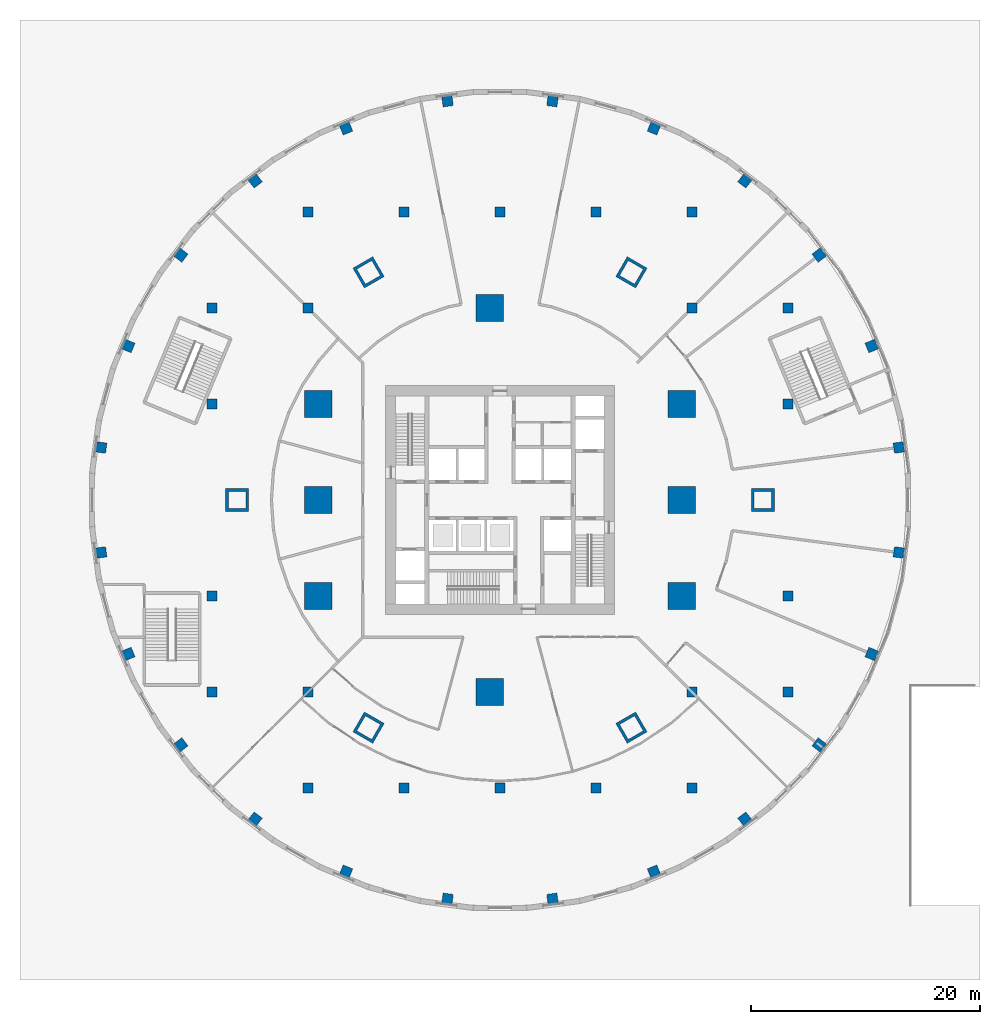
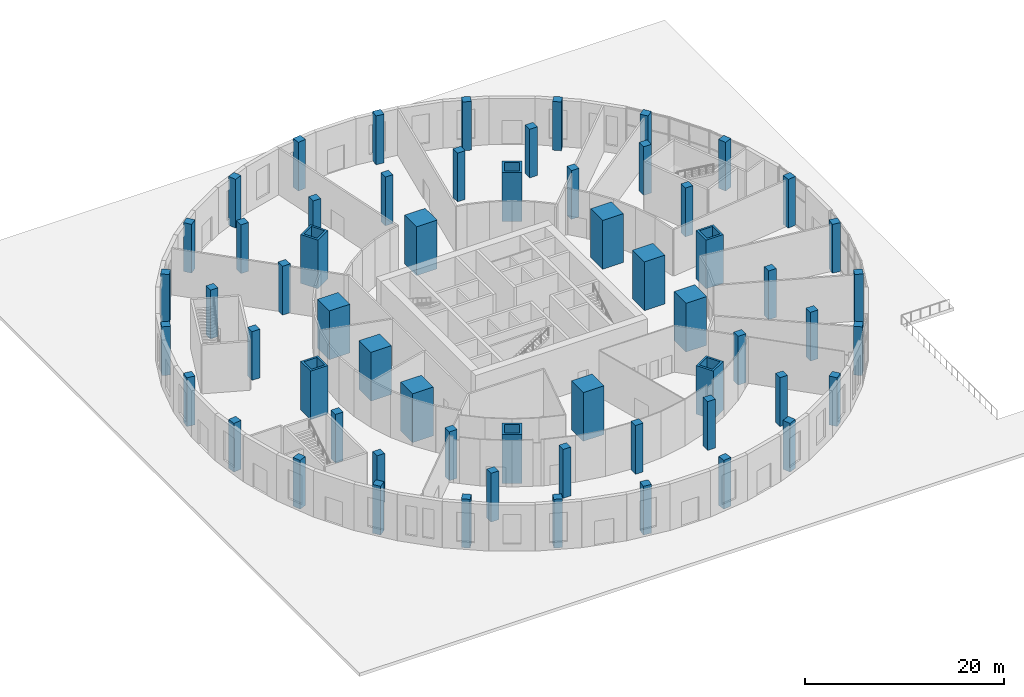
# One storey, part 1 of 19: 60 columns.
"""IFC4 building model written with IfcOpenShell, lengths in metres."""

from ifc_helpers import new_model, si_unit, direction, frame, origin, origin_2d, place, context, subcontext, project, spatial, rectangle, hollow_rectangle, extrude, material, material_profile, profile_set, type_object, element, save


model = new_model("IFC4")

# Units and contexts
model_context = context("Model", 3, precision=1e-05, world=origin(), true_north=direction((0.0, 1.0)))
body_context = subcontext(model_context, "Body", "Model", "MODEL_VIEW")
ifc_project = project(units=[si_unit("LENGTHUNIT", "METRE"), si_unit("AREAUNIT", "SQUARE_METRE"), si_unit("VOLUMEUNIT", "CUBIC_METRE"), si_unit("PLANEANGLEUNIT", "RADIAN"), si_unit("MASSUNIT", "GRAM", prefix="KILO")], contexts=[model_context])

# Site, building, storey
site_placement = place(None, origin())
site = spatial("IfcSite", under=ifc_project, at=site_placement, CompositionType="ELEMENT")
building_placement = place(site_placement, origin())
building = spatial("IfcBuilding", under=site, at=building_placement, Name="Golbaran Civic Tower", CompositionType="ELEMENT")
storey_placement = place(building_placement, origin())
storey = spatial("IfcBuildingStorey", under=building, at=storey_placement, Name="L00", CompositionType="ELEMENT", Elevation=0.0)

# Columns
ifc_material_1 = material(Name="Steel S355", Category="steel")
ifc_material_profile_1 = material_profile(ifc_material_1, hollow_rectangle(XDim=2.0, YDim=2.0, WallThickness=0.239990234375, at=origin_2d()), Name="BOX 2000x2000x240")
ifc_profile_set_1 = profile_set([ifc_material_profile_1], Name="Steel S355")
column_type_1 = type_object("IfcColumnType", Name="MEGA COLUMN BOX 2000x2000x240", PredefinedType="COLUMN", material=ifc_profile_set_1)
for number, where, z_axis, x_axis, name in (
    (1, (23.0, 0.0, 0.0), (0.0, 0.0, 1.0), (1.0, 0.0, 0.0), "Column mega 0 L00"),
    (2, (11.5, 19.918701171875, 0.0), (0.0, 0.0, 1.0), (0.5, 0.866025403784, 0.0), "Column mega 60 L00"),
    (3, (-11.5, 19.918701171875, 0.0), (0.0, 0.0, 1.0), (-0.5, 0.866025403784, 0.0), "Column mega 120 L00"),
    (4, (-23.0, 0.0, 0.0), (0.0, 0.0, 1.0), (-1.0, 0.0, 0.0), "Column mega 180 L00"),
    (5, (-11.5, -19.918701171875, 0.0), (0.0, 0.0, 1.0), (-0.5, -0.866025403784, 0.0), "Column mega 240 L00"),
    (6, (11.5, -19.918701171875, 0.0), (0.0, 0.0, 1.0), (0.5, -0.866025403784, 0.0), "Column mega 300 L00"),
):
    element("IfcColumn", number, at=place(storey_placement, frame(where, z_axis=z_axis, x_axis=x_axis)), inside=storey, type_object=column_type_1, Name=name, PredefinedType="COLUMN", context=body_context, shape_type="SweptSolid", body=[
        extrude(hollow_rectangle(XDim=2.0, YDim=2.0, WallThickness=0.239990234375, at=origin_2d()), origin(), (0.0, 0.0, 1.0), 6.0),
    ])
ifc_material_2 = material(Name="Concrete C50/60", Category="concrete")
ifc_material_profile_2 = material_profile(ifc_material_2, rectangle(XDim=0.89990234375, YDim=0.89990234375, at=origin_2d()), Name="RC 900x900")
ifc_profile_set_2 = profile_set([ifc_material_profile_2], Name="Concrete C50/60")
column_type_2 = type_object("IfcColumnType", Name="PODIUM COLUMN RC 900x900", PredefinedType="COLUMN", material=ifc_profile_set_2)
for number, where, z_axis, x_axis, name in (
    (7, (-25.199951171875, -16.800048828125, 0.0), (0.0, 0.0, 1.0), (1.0, 0.0, 0.0), "Column 3/D L00"),
    (8, (-25.199951171875, -8.39990234375, 0.0), (0.0, 0.0, 1.0), (1.0, 0.0, 0.0), "Column 3/E L00"),
    (9, (-25.199951171875, 8.39990234375, 0.0), (0.0, 0.0, 1.0), (1.0, 0.0, 0.0), "Column 3/G L00"),
    (10, (-25.199951171875, 16.800048828125, 0.0), (0.0, 0.0, 1.0), (1.0, 0.0, 0.0), "Column 3/H L00"),
    (11, (-16.800048828125, -25.199951171875, 0.0), (0.0, 0.0, 1.0), (1.0, 0.0, 0.0), "Column 4/C L00"),
    (12, (-16.800048828125, -16.800048828125, 0.0), (0.0, 0.0, 1.0), (1.0, 0.0, 0.0), "Column 4/D L00"),
    (13, (-16.800048828125, 16.800048828125, 0.0), (0.0, 0.0, 1.0), (1.0, 0.0, 0.0), "Column 4/H L00"),
    (14, (-16.800048828125, 25.199951171875, 0.0), (0.0, 0.0, 1.0), (1.0, 0.0, 0.0), "Column 4/J L00"),
    (15, (-8.39990234375, -25.199951171875, 0.0), (0.0, 0.0, 1.0), (1.0, 0.0, 0.0), "Column 5/C L00"),
    (16, (-8.39990234375, 25.199951171875, 0.0), (0.0, 0.0, 1.0), (1.0, 0.0, 0.0), "Column 5/J L00"),
    (17, (0.0, -25.199951171875, 0.0), (0.0, 0.0, 1.0), (1.0, 0.0, 0.0), "Column 6/C L00"),
    (18, (0.0, 25.199951171875, 0.0), (0.0, 0.0, 1.0), (1.0, 0.0, 0.0), "Column 6/J L00"),
    (19, (8.39990234375, -25.199951171875, 0.0), (0.0, 0.0, 1.0), (1.0, 0.0, 0.0), "Column 7/C L00"),
    (20, (8.39990234375, 25.199951171875, 0.0), (0.0, 0.0, 1.0), (1.0, 0.0, 0.0), "Column 7/J L00"),
    (21, (16.800048828125, -25.199951171875, 0.0), (0.0, 0.0, 1.0), (1.0, 0.0, 0.0), "Column 8/C L00"),
    (22, (16.800048828125, -16.800048828125, 0.0), (0.0, 0.0, 1.0), (1.0, 0.0, 0.0), "Column 8/D L00"),
    (23, (16.800048828125, 16.800048828125, 0.0), (0.0, 0.0, 1.0), (1.0, 0.0, 0.0), "Column 8/H L00"),
    (24, (16.800048828125, 25.199951171875, 0.0), (0.0, 0.0, 1.0), (1.0, 0.0, 0.0), "Column 8/J L00"),
    (25, (25.199951171875, -16.800048828125, 0.0), (0.0, 0.0, 1.0), (1.0, 0.0, 0.0), "Column 9/D L00"),
    (26, (25.199951171875, -8.39990234375, 0.0), (0.0, 0.0, 1.0), (1.0, 0.0, 0.0), "Column 9/E L00"),
    (27, (25.199951171875, 8.39990234375, 0.0), (0.0, 0.0, 1.0), (1.0, 0.0, 0.0), "Column 9/G L00"),
    (28, (25.199951171875, 16.800048828125, 0.0), (0.0, 0.0, 1.0), (1.0, 0.0, 0.0), "Column 9/H L00"),
):
    element("IfcColumn", number, at=place(storey_placement, frame(where, z_axis=z_axis, x_axis=x_axis)), inside=storey, type_object=column_type_2, Name=name, PredefinedType="COLUMN", context=body_context, shape_type="SweptSolid", body=[
        extrude(rectangle(XDim=0.89990234375, YDim=0.89990234375, at=origin_2d()), origin(), (0.0, 0.0, 1.0), 6.0),
    ])
ifc_material_profile_3 = material_profile(ifc_material_2, rectangle(XDim=2.39990234375, YDim=2.39990234375, at=origin_2d()), Name="RC 2400x2400")
ifc_profile_set_3 = profile_set([ifc_material_profile_3], Name="Concrete C50/60")
column_type_3 = type_object("IfcColumnType", Name="PODIUM COLUMN UNDER TOWER RC 2400x2400", PredefinedType="COLUMN", material=ifc_profile_set_3)
for number, where, z_axis, x_axis, name in (
    (29, (-15.89990234375, -8.39990234375, 0.0), (0.0, 0.0, 1.0), (1.0, 0.0, 0.0), "Column 4/E L00"),
    (30, (-15.89990234375, 0.0, 0.0), (0.0, 0.0, 1.0), (1.0, 0.0, 0.0), "Column 4/F L00"),
    (31, (-15.89990234375, 8.39990234375, 0.0), (0.0, 0.0, 1.0), (1.0, 0.0, 0.0), "Column 4/G L00"),
    (32, (-0.89990234375, -16.800048828125, 0.0), (0.0, 0.0, 1.0), (1.0, 0.0, 0.0), "Column 6/D L00"),
    (33, (-0.89990234375, 16.800048828125, 0.0), (0.0, 0.0, 1.0), (1.0, 0.0, 0.0), "Column 6/H L00"),
    (34, (15.89990234375, -8.39990234375, 0.0), (0.0, 0.0, 1.0), (1.0, 0.0, 0.0), "Column 8/E L00"),
    (35, (15.89990234375, 0.0, 0.0), (0.0, 0.0, 1.0), (1.0, 0.0, 0.0), "Column 8/F L00"),
    (36, (15.89990234375, 8.39990234375, 0.0), (0.0, 0.0, 1.0), (1.0, 0.0, 0.0), "Column 8/G L00"),
):
    element("IfcColumn", number, at=place(storey_placement, frame(where, z_axis=z_axis, x_axis=x_axis)), inside=storey, type_object=column_type_3, Name=name, PredefinedType="COLUMN", context=body_context, shape_type="SweptSolid", body=[
        extrude(rectangle(XDim=2.39990234375, YDim=2.39990234375, at=origin_2d()), origin(), (0.0, 0.0, 1.0), 6.0),
    ])
ifc_material_profile_4 = material_profile(ifc_material_2, rectangle(XDim=0.89990234375, YDim=0.89990234375, at=origin_2d()), Name="RC 900x900")
ifc_profile_set_4 = profile_set([ifc_material_profile_4], Name="Concrete C50/60")
column_type_4 = type_object("IfcColumnType", Name="PODIUM EDGE COLUMN RC 900x900", PredefinedType="COLUMN", material=ifc_profile_set_4)
for number, where, z_axis, x_axis, name in (
    (37, (34.89892578125, 4.594482421875, 0.0), (0.0, 0.0, 1.0), (0.991444861374, 0.13052619222, 0.0), "Column edge 7.5 L00"),
    (38, (32.5205078125, 13.470458984375, 0.0), (0.0, 0.0, 1.0), (0.923879532511, 0.382683432365, 0.0), "Column edge 22.5 L00"),
    (39, (27.926025390625, 21.428466796875, 0.0), (0.0, 0.0, 1.0), (0.793353340291, 0.608761429009, 0.0), "Column edge 37.5 L00"),
    (40, (21.428466796875, 27.926025390625, 0.0), (0.0, 0.0, 1.0), (0.608761429009, 0.793353340291, 0.0), "Column edge 52.5 L00"),
    (41, (13.470458984375, 32.5205078125, 0.0), (0.0, 0.0, 1.0), (0.382683432365, 0.923879532511, 0.0), "Column edge 67.5 L00"),
    (42, (4.594482421875, 34.89892578125, 0.0), (0.0, 0.0, 1.0), (0.13052619222, 0.991444861374, 0.0), "Column edge 82.5 L00"),
    (43, (-4.594482421875, 34.89892578125, 0.0), (0.0, 0.0, 1.0), (-0.13052619222, 0.991444861374, 0.0), "Column edge 97.5 L00"),
    (44, (-13.470458984375, 32.5205078125, 0.0), (0.0, 0.0, 1.0), (-0.382683432365, 0.923879532511, 0.0), "Column edge 112.5 L00"),
    (45, (-21.428466796875, 27.926025390625, 0.0), (0.0, 0.0, 1.0), (-0.608761429009, 0.793353340291, 0.0), "Column edge 127.5 L00"),
    (46, (-27.926025390625, 21.428466796875, 0.0), (0.0, 0.0, 1.0), (-0.793353340291, 0.608761429009, 0.0), "Column edge 142.5 L00"),
    (47, (-32.5205078125, 13.470458984375, 0.0), (0.0, 0.0, 1.0), (-0.923879532511, 0.382683432365, 0.0), "Column edge 157.5 L00"),
    (48, (-34.89892578125, 4.594482421875, 0.0), (0.0, 0.0, 1.0), (-0.991444861374, 0.13052619222, 0.0), "Column edge 172.5 L00"),
    (49, (-34.89892578125, -4.594482421875, 0.0), (0.0, 0.0, 1.0), (-0.991444861374, -0.13052619222, 0.0), "Column edge 187.5 L00"),
    (50, (-32.5205078125, -13.470458984375, 0.0), (0.0, 0.0, 1.0), (-0.923879532511, -0.382683432365, 0.0), "Column edge 202.5 L00"),
    (51, (-27.926025390625, -21.428466796875, 0.0), (0.0, 0.0, 1.0), (-0.793353340291, -0.608761429009, 0.0), "Column edge 217.5 L00"),
    (52, (-21.428466796875, -27.926025390625, 0.0), (0.0, 0.0, 1.0), (-0.608761429009, -0.793353340291, 0.0), "Column edge 232.5 L00"),
    (53, (-13.470458984375, -32.5205078125, 0.0), (0.0, 0.0, 1.0), (-0.382683432365, -0.923879532511, 0.0), "Column edge 247.5 L00"),
    (54, (-4.594482421875, -34.89892578125, 0.0), (0.0, 0.0, 1.0), (-0.13052619222, -0.991444861374, 0.0), "Column edge 262.5 L00"),
    (55, (4.594482421875, -34.89892578125, 0.0), (0.0, 0.0, 1.0), (0.13052619222, -0.991444861374, 0.0), "Column edge 277.5 L00"),
    (56, (13.470458984375, -32.5205078125, 0.0), (0.0, 0.0, 1.0), (0.382683432365, -0.923879532511, 0.0), "Column edge 292.5 L00"),
    (57, (21.428466796875, -27.926025390625, 0.0), (0.0, 0.0, 1.0), (0.608761429009, -0.793353340291, 0.0), "Column edge 307.5 L00"),
    (58, (27.926025390625, -21.428466796875, 0.0), (0.0, 0.0, 1.0), (0.793353340291, -0.608761429009, 0.0), "Column edge 322.5 L00"),
    (59, (32.5205078125, -13.470458984375, 0.0), (0.0, 0.0, 1.0), (0.923879532511, -0.382683432365, 0.0), "Column edge 337.5 L00"),
    (60, (34.89892578125, -4.594482421875, 0.0), (0.0, 0.0, 1.0), (0.991444861374, -0.13052619222, 0.0), "Column edge 352.5 L00"),
):
    element("IfcColumn", number, at=place(storey_placement, frame(where, z_axis=z_axis, x_axis=x_axis)), inside=storey, type_object=column_type_4, Name=name, PredefinedType="COLUMN", context=body_context, shape_type="SweptSolid", body=[
        extrude(rectangle(XDim=0.89990234375, YDim=0.89990234375, at=origin_2d()), origin(), (0.0, 0.0, 1.0), 6.0),
    ])

save(model, "model.ifc")
